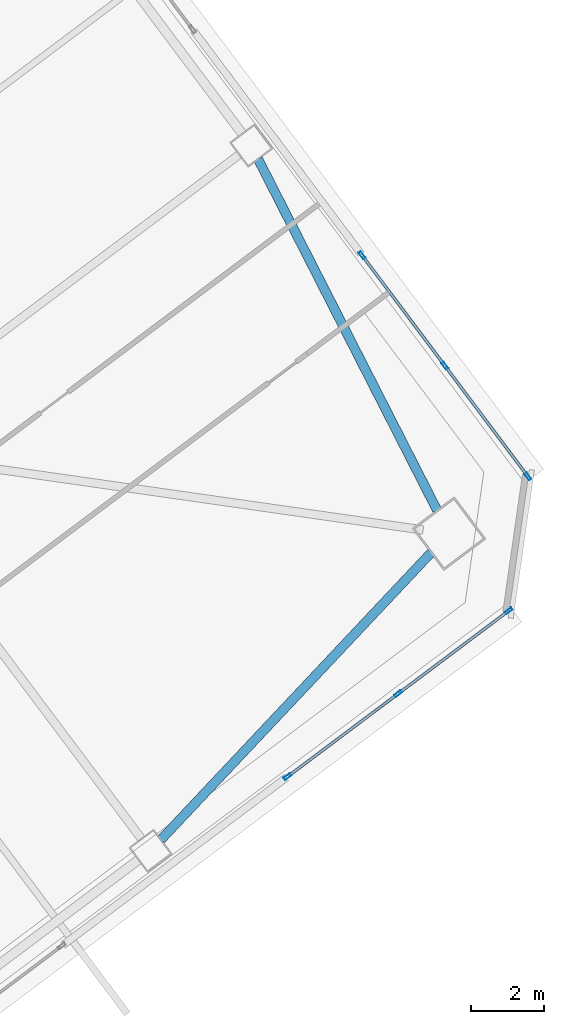
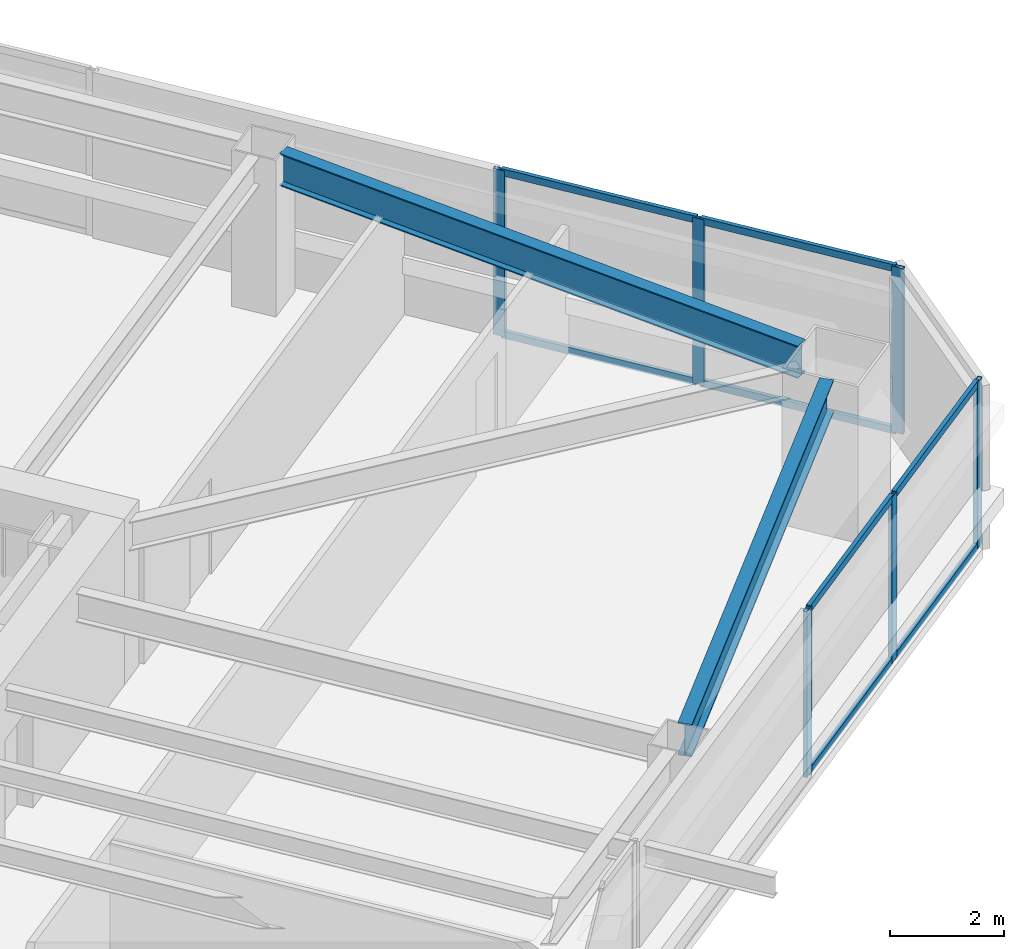
# One storey, part 25 of 44: 14 members, 2 beams, 2 elements without a shape of their own.
"""IFC4 building model written with IfcOpenShell, lengths in metres."""

from ifc_helpers import new_model, si_unit, direction, frame, origin, origin_2d, place, context, subcontext, project, spatial, hollow_rectangle, i_section, extrude, material, material_profile, profile_set, type_object, element, aggregate, save


model = new_model("IFC4")

# Units and contexts
model_context = context("Model", 3, precision=1e-05, world=origin(), true_north=direction((0.0, 1.0)))
body_context = subcontext(model_context, "Body", "Model", "MODEL_VIEW")
ifc_project = project(units=[si_unit("LENGTHUNIT", "METRE"), si_unit("AREAUNIT", "SQUARE_METRE"), si_unit("VOLUMEUNIT", "CUBIC_METRE"), si_unit("PLANEANGLEUNIT", "RADIAN"), si_unit("MASSUNIT", "GRAM", prefix="KILO")], contexts=[model_context])

# Site, building, storey
site_placement = place(None, origin())
site = spatial("IfcSite", under=ifc_project, at=site_placement, CompositionType="ELEMENT")
building_placement = place(site_placement, origin())
building = spatial("IfcBuilding", under=site, at=building_placement, Name="Tashvorn Skyway Center", CompositionType="ELEMENT")
storey_placement = place(building_placement, frame((0.0, 0.0, 95.60009765625)))
storey = spatial("IfcBuildingStorey", under=building, at=storey_placement, Name="L25", CompositionType="ELEMENT", Elevation=95.60009765625)

# Beams
ifc_material_1 = material(Name="Steel ASTM A992 Grade 50", Category="steel")
ifc_material_profile_1 = material_profile(ifc_material_1, i_section(OverallWidth=0.256103515625, OverallDepth=0.693115234375, WebThickness=0.014404296875, FlangeThickness=0.023681640625, at=origin_2d()), Name="W27X114")
ifc_profile_set_1 = profile_set([ifc_material_profile_1], Name="Steel ASTM A992 Grade 50")
beam_type = type_object("IfcBeamType", Name="BM-SPANDREL-W27X114", PredefinedType="SPANDREL", material=ifc_profile_set_1)
beam_1_placement = place(storey_placement, frame((130.157958984375, 20.145751953125, 3.00341796875), z_axis=(0.685484857238, 0.728086883893, 0.0), x_axis=(-0.728086883893, 0.685484857238, 0.0)))
element("IfcBeam", 1, at=beam_1_placement, inside=storey, type_object=beam_type, Name="Tower 2 L25 Spandrel Beam 03", PredefinedType="SPANDREL", context=body_context, shape_type="SweptSolid", body=[
    extrude(i_section(OverallWidth=0.256103515625, OverallDepth=0.693115234375, WebThickness=0.014404296875, FlangeThickness=0.023681640625, at=origin_2d()), origin(), (0.0, 0.0, 1.0), 10.8369140625),
])
beam_2_placement = place(storey_placement, frame((137.7529296875, 29.201416015625, 3.00341796875), z_axis=(-0.454210938961, 0.890894170442, 0.0), x_axis=(-0.890894170442, -0.454210938961, 0.0)))
element("IfcBeam", 2, at=beam_2_placement, inside=storey, type_object=beam_type, Name="Tower 2 L25 Spandrel Beam 04", PredefinedType="SPANDREL", context=body_context, shape_type="SweptSolid", body=[
    extrude(i_section(OverallWidth=0.256103515625, OverallDepth=0.693115234375, WebThickness=0.014404296875, FlangeThickness=0.023681640625, at=origin_2d()), origin(), (0.0, 0.0, 1.0), 10.836669921875),
])

# Curtain wall, members
ifc_material_2 = material(Name="Thermally broken bronze-anodized aluminium 6063-T6", Category="aluminium")
curtain_wall_type = type_object("IfcCurtainWallType", Name="CW-CW-Z2", PredefinedType="NOTDEFINED", material=ifc_material_2)
curtain_wall_1_placement = place(storey_placement, origin())
curtain_wall_1 = element("IfcCurtainWall", 3, at=curtain_wall_1_placement, inside=storey, type_object=curtain_wall_type, Name="Tower 2 L25 South Unitised Curtain Wall Glazing Group 1", PredefinedType="NOTDEFINED")
ifc_material_profile_2 = material_profile(ifc_material_2, hollow_rectangle(XDim=0.080078125, YDim=0.219970703125, WallThickness=0.0048828125, at=origin_2d()), Name="ALU-MULL-80x220")
ifc_profile_set_2 = profile_set([ifc_material_profile_2], Name="Thermally broken bronze-anodized aluminium 6063-T6")
member_type_1 = type_object("IfcMemberType", Name="CWM-CW-Z2", PredefinedType="MULLION", material=ifc_profile_set_2)
member_1_placement = place(storey_placement, frame((139.719970703125, 26.43994140625, 0.0), z_axis=(0.0, 0.0, 1.0), x_axis=(0.600000000002, -0.799999999998, 0.0)))
member_1 = element("IfcMember", 4, at=member_1_placement, type_object=member_type_1, Name="CW-Z2 mullion 1", PredefinedType="MULLION", context=body_context, shape_type="SweptSolid", body=[
    extrude(hollow_rectangle(XDim=0.080078125, YDim=0.219970703125, WallThickness=0.0048828125, at=origin_2d()), origin(), (0.0, 0.0, 1.0), 3.5498046875),
])
member_2_placement = place(storey_placement, frame((136.679931640625, 24.159912109375, 0.0), z_axis=(0.0, 0.0, 1.0), x_axis=(0.600000000002, -0.799999999998, 0.0)))
member_2 = element("IfcMember", 5, at=member_2_placement, type_object=member_type_1, Name="CW-Z2 mullion 2", PredefinedType="MULLION", context=body_context, shape_type="SweptSolid", body=[
    extrude(hollow_rectangle(XDim=0.080078125, YDim=0.219970703125, WallThickness=0.0048828125, at=origin_2d()), origin(), (0.0, 0.0, 1.0), 3.5498046875),
])
member_3_placement = place(storey_placement, frame((133.639892578125, 21.8798828125, 0.0), z_axis=(0.0, 0.0, 1.0), x_axis=(0.600000000002, -0.799999999998, 0.0)))
member_3 = element("IfcMember", 6, at=member_3_placement, type_object=member_type_1, Name="CW-Z2 mullion 3", PredefinedType="MULLION", context=body_context, shape_type="SweptSolid", body=[
    extrude(hollow_rectangle(XDim=0.080078125, YDim=0.219970703125, WallThickness=0.0048828125, at=origin_2d()), origin(), (0.0, 0.0, 1.0), 3.5498046875),
])

curtain_wall_2_placement = place(storey_placement, origin())
curtain_wall_2 = element("IfcCurtainWall", 7, at=curtain_wall_2_placement, inside=storey, type_object=curtain_wall_type, Name="Tower 2 L25 East Unitised Curtain Wall Glazing Group 3", PredefinedType="NOTDEFINED")
member_4_placement = place(storey_placement, frame((135.68798828125, 36.216064453125, 0.0), z_axis=(0.0, 0.0, 1.0), x_axis=(0.799999999998, 0.600000000002, 0.0)))
member_4 = element("IfcMember", 8, at=member_4_placement, type_object=member_type_1, Name="CW-Z2 mullion 1", PredefinedType="MULLION", context=body_context, shape_type="SweptSolid", body=[
    extrude(hollow_rectangle(XDim=0.080078125, YDim=0.219970703125, WallThickness=0.0048828125, at=origin_2d()), origin(), (0.0, 0.0, 1.0), 3.5498046875),
])
member_5_placement = place(storey_placement, frame((137.968017578125, 33.176025390625, 0.0), z_axis=(0.0, 0.0, 1.0), x_axis=(0.799999999998, 0.600000000002, 0.0)))
member_5 = element("IfcMember", 9, at=member_5_placement, type_object=member_type_1, Name="CW-Z2 mullion 2", PredefinedType="MULLION", context=body_context, shape_type="SweptSolid", body=[
    extrude(hollow_rectangle(XDim=0.080078125, YDim=0.219970703125, WallThickness=0.0048828125, at=origin_2d()), origin(), (0.0, 0.0, 1.0), 3.5498046875),
])
member_6_placement = place(storey_placement, frame((140.248046875, 30.135986328125, 0.0), z_axis=(0.0, 0.0, 1.0), x_axis=(0.799999999998, 0.600000000002, 0.0)))
member_6 = element("IfcMember", 10, at=member_6_placement, type_object=member_type_1, Name="CW-Z2 mullion 3", PredefinedType="MULLION", context=body_context, shape_type="SweptSolid", body=[
    extrude(hollow_rectangle(XDim=0.080078125, YDim=0.219970703125, WallThickness=0.0048828125, at=origin_2d()), origin(), (0.0, 0.0, 1.0), 3.5498046875),
])

# Member
ifc_material_profile_3 = material_profile(ifc_material_2, hollow_rectangle(XDim=0.080078125, YDim=0.14990234375, WallThickness=0.00439453125, at=origin_2d()), Name="ALU-TRAN-80x150")
ifc_profile_set_3 = profile_set([ifc_material_profile_3], Name="Thermally broken bronze-anodized aluminium 6063-T6")
member_type_2 = type_object("IfcMemberType", Name="CWT-CW-Z2", PredefinedType="USERDEFINED", material=ifc_profile_set_3)
member_7_placement = place(storey_placement, frame((139.68798828125, 26.416015625, 0.039794921875), z_axis=(-0.80001575065, -0.599978998559, 0.0), x_axis=(0.599978998559, -0.80001575065, 0.0)))
member_7 = element("IfcMember", 11, at=member_7_placement, type_object=member_type_2, Name="CW-Z2 transom 1.1", ObjectType="TRANSOM", PredefinedType="USERDEFINED", context=body_context, shape_type="SweptSolid", body=[
    extrude(hollow_rectangle(XDim=0.080078125, YDim=0.14990234375, WallThickness=0.00439453125, at=origin_2d()), origin(), (0.0, 0.0, 1.0), 3.719970703125),
])

member_8_placement = place(storey_placement, frame((139.68798828125, 26.416015625, 3.510009765625), z_axis=(-0.80001575065, -0.599978998559, 0.0), x_axis=(0.599978998559, -0.80001575065, 0.0)))
member_8 = element("IfcMember", 12, at=member_8_placement, type_object=member_type_2, Name="CW-Z2 transom 1.2", ObjectType="TRANSOM", PredefinedType="USERDEFINED", context=body_context, shape_type="SweptSolid", body=[
    extrude(hollow_rectangle(XDim=0.080078125, YDim=0.14990234375, WallThickness=0.00439453125, at=origin_2d()), origin(), (0.0, 0.0, 1.0), 3.719970703125),
])

member_9_placement = place(storey_placement, frame((136.64794921875, 24.135986328125, 0.039794921875), z_axis=(-0.799992124055, -0.600010501117, 0.0), x_axis=(0.600010501117, -0.799992124055, 0.0)))
member_9 = element("IfcMember", 13, at=member_9_placement, type_object=member_type_2, Name="CW-Z2 transom 2.1", ObjectType="TRANSOM", PredefinedType="USERDEFINED", context=body_context, shape_type="SweptSolid", body=[
    extrude(hollow_rectangle(XDim=0.080078125, YDim=0.14990234375, WallThickness=0.00439453125, at=origin_2d()), origin(), (0.0, 0.0, 1.0), 3.7197265625),
])

member_10_placement = place(storey_placement, frame((136.64794921875, 24.135986328125, 3.510009765625), z_axis=(-0.799992124055, -0.600010501117, 0.0), x_axis=(0.600010501117, -0.799992124055, 0.0)))
member_10 = element("IfcMember", 14, at=member_10_placement, type_object=member_type_2, Name="CW-Z2 transom 2.2", ObjectType="TRANSOM", PredefinedType="USERDEFINED", context=body_context, shape_type="SweptSolid", body=[
    extrude(hollow_rectangle(XDim=0.080078125, YDim=0.14990234375, WallThickness=0.00439453125, at=origin_2d()), origin(), (0.0, 0.0, 1.0), 3.7197265625),
])

aggregate(curtain_wall_1, [member_1, member_2, member_3, member_7, member_8, member_9, member_10])

member_11_placement = place(storey_placement, frame((135.7119140625, 36.18408203125, 0.039794921875), z_axis=(0.6000210002, -0.799984249419, 0.0), x_axis=(0.799984249419, 0.6000210002, 0.0)))
member_11 = element("IfcMember", 15, at=member_11_placement, type_object=member_type_2, Name="CW-Z2 transom 1.1", ObjectType="TRANSOM", PredefinedType="USERDEFINED", context=body_context, shape_type="SweptSolid", body=[
    extrude(hollow_rectangle(XDim=0.080078125, YDim=0.14990234375, WallThickness=0.00439453125, at=origin_2d()), origin(), (0.0, 0.0, 1.0), 3.72021484375),
])

member_12_placement = place(storey_placement, frame((135.7119140625, 36.18408203125, 3.510009765625), z_axis=(0.6000210002, -0.799984249419, 0.0), x_axis=(0.799984249419, 0.6000210002, 0.0)))
member_12 = element("IfcMember", 16, at=member_12_placement, type_object=member_type_2, Name="CW-Z2 transom 1.2", ObjectType="TRANSOM", PredefinedType="USERDEFINED", context=body_context, shape_type="SweptSolid", body=[
    extrude(hollow_rectangle(XDim=0.080078125, YDim=0.14990234375, WallThickness=0.00439453125, at=origin_2d()), origin(), (0.0, 0.0, 1.0), 3.72021484375),
])

member_13_placement = place(storey_placement, frame((137.991943359375, 33.14404296875, 0.039794921875), z_axis=(0.6000210002, -0.799984249419, 0.0), x_axis=(0.799984249419, 0.6000210002, 0.0)))
member_13 = element("IfcMember", 17, at=member_13_placement, type_object=member_type_2, Name="CW-Z2 transom 2.1", ObjectType="TRANSOM", PredefinedType="USERDEFINED", context=body_context, shape_type="SweptSolid", body=[
    extrude(hollow_rectangle(XDim=0.080078125, YDim=0.14990234375, WallThickness=0.00439453125, at=origin_2d()), origin(), (0.0, 0.0, 1.0), 3.72021484375),
])

member_14_placement = place(storey_placement, frame((137.991943359375, 33.14404296875, 3.510009765625), z_axis=(0.6000210002, -0.799984249419, 0.0), x_axis=(0.799984249419, 0.6000210002, 0.0)))
member_14 = element("IfcMember", 18, at=member_14_placement, type_object=member_type_2, Name="CW-Z2 transom 2.2", ObjectType="TRANSOM", PredefinedType="USERDEFINED", context=body_context, shape_type="SweptSolid", body=[
    extrude(hollow_rectangle(XDim=0.080078125, YDim=0.14990234375, WallThickness=0.00439453125, at=origin_2d()), origin(), (0.0, 0.0, 1.0), 3.72021484375),
])

aggregate(curtain_wall_2, [member_4, member_5, member_6, member_11, member_12, member_13, member_14])

save(model, "model.ifc")
